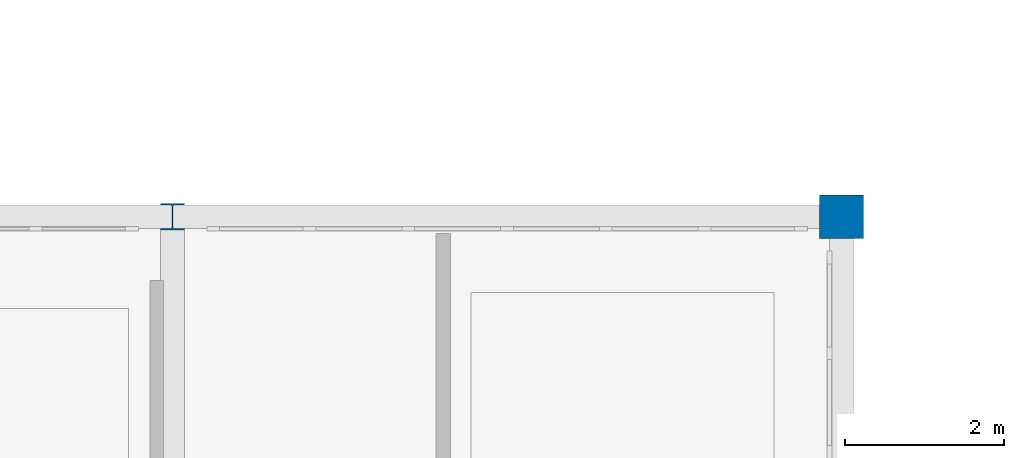
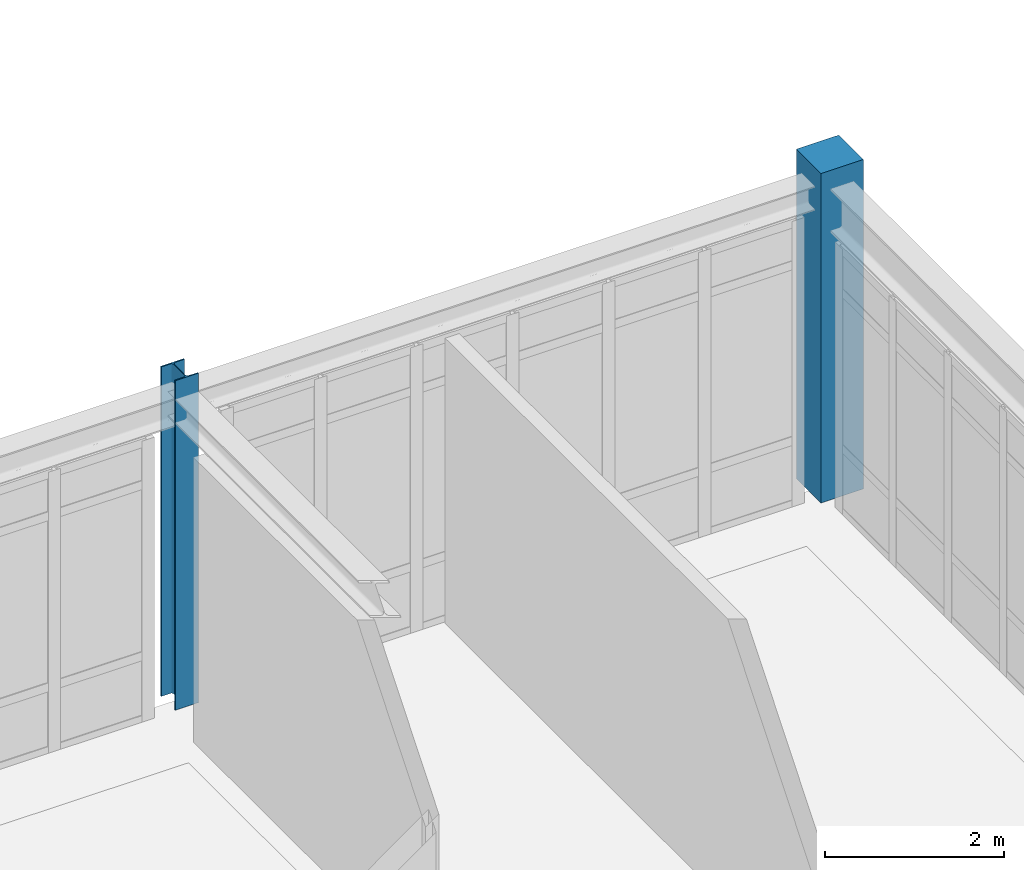
# One storey, part 24 of 106: 2 columns.
"""IFC4 building model written with IfcOpenShell, lengths in metres."""

from ifc_helpers import new_model, si_unit, derived_unit, direction, frame, origin, origin_2d, place, context, subcontext, project, spatial, rectangle, i_section, extrude, material, material_profile, profile_set, type_object, element, save


model = new_model("IFC4")

# Units and contexts
model_context = context("Model", 3, precision=1e-05, world=origin(), true_north=direction((0.0, 1.0)))
body_context = subcontext(model_context, "Body", "Model", "MODEL_VIEW")
ifc_project = project(units=[si_unit("LENGTHUNIT", "METRE"), si_unit("AREAUNIT", "SQUARE_METRE"), si_unit("VOLUMEUNIT", "CUBIC_METRE"), si_unit("PLANEANGLEUNIT", "RADIAN"), si_unit("MASSUNIT", "GRAM", prefix="KILO"), derived_unit("THERMALTRANSMITTANCEUNIT", [(si_unit("POWERUNIT", "WATT"), 1), (si_unit("AREAUNIT", "SQUARE_METRE"), -1), (si_unit("THERMODYNAMICTEMPERATUREUNIT", "KELVIN"), -1)])], contexts=[model_context])

# Site, building, storey
site_placement = place(None, origin())
site = spatial("IfcSite", under=ifc_project, at=site_placement, CompositionType="ELEMENT")
building_placement = place(site_placement, origin())
building = spatial("IfcBuilding", under=site, at=building_placement, Name="Yasenodar Specialist Clinic", CompositionType="ELEMENT")
storey_placement = place(building_placement, frame((0.0, 0.0, 4.5)))
storey = spatial("IfcBuildingStorey", under=building, at=storey_placement, Name="L01", CompositionType="ELEMENT", Elevation=4.5)

# Columns
ifc_material_1 = material(Name="Concrete C35/45", Category="concrete")
ifc_material_profile_1 = material_profile(ifc_material_1, rectangle(XDim=0.550048828125, YDim=0.550048828125, at=origin_2d()), Name="RC 550x550")
ifc_profile_set_1 = profile_set([ifc_material_profile_1], Name="Concrete C35/45")
column_type_1 = type_object("IfcColumnType", Name="COL-RC-550", PredefinedType="COLUMN", material=ifc_profile_set_1)
column_1_placement = place(storey_placement, frame((138.60009765625, 34.800048828125, 0.0), z_axis=(0.0, 0.0, 1.0), x_axis=(1.0, 0.0, 0.0)))
element("IfcColumn", 1, at=column_1_placement, inside=storey, type_object=column_type_1, Name="L01 Column V3-160", PredefinedType="COLUMN", context=body_context, shape_type="SweptSolid", body=[
    extrude(rectangle(XDim=0.550048828125, YDim=0.550048828125, at=origin_2d()), origin(), (0.0, 0.0, 1.0), 4.5),
])
ifc_material_2 = material(Name="Steel S355", Category="steel")
ifc_material_profile_2 = material_profile(ifc_material_2, i_section(OverallWidth=0.300048828125, OverallDepth=0.330078125, WebThickness=0.009521484375, FlangeThickness=0.0166015625, FilletRadius=0.027099609375, at=origin_2d()), Name="HEA 340")
ifc_profile_set_2 = profile_set([ifc_material_profile_2], Name="Steel S355")
column_type_2 = type_object("IfcColumnType", Name="COL-ST-HEA340", PredefinedType="COLUMN", material=ifc_profile_set_2)
column_2_placement = place(storey_placement, frame((130.199951171875, 34.800048828125, 0.0), z_axis=(0.0, 0.0, 1.0), x_axis=(1.0, 0.0, 0.0)))
element("IfcColumn", 2, at=column_2_placement, inside=storey, type_object=column_type_2, Name="L01 Column V3-150", PredefinedType="COLUMN", context=body_context, shape_type="SweptSolid", body=[
    extrude(i_section(OverallWidth=0.300048828125, OverallDepth=0.330078125, WebThickness=0.009521484375, FlangeThickness=0.0166015625, FilletRadius=0.027099609375, at=origin_2d()), origin(), (0.0, 0.0, 1.0), 4.5),
])

save(model, "model.ifc")
